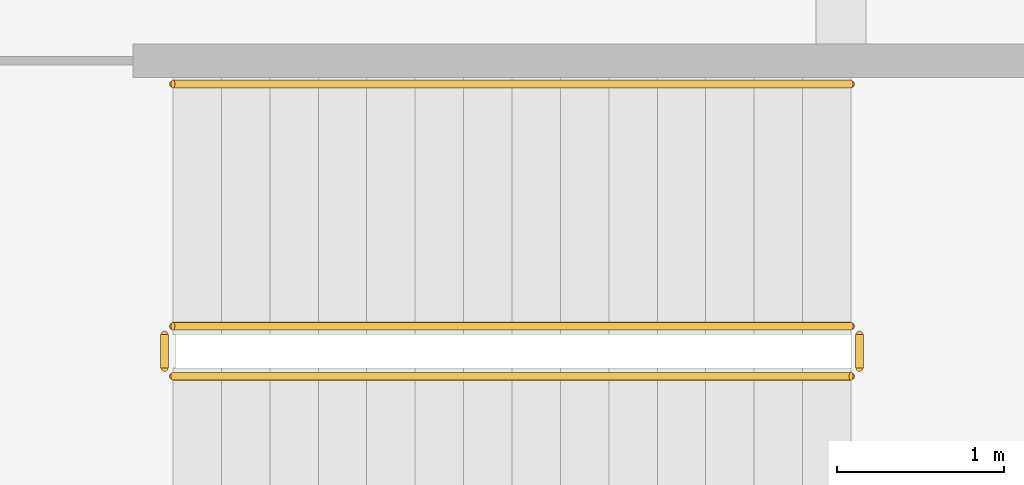
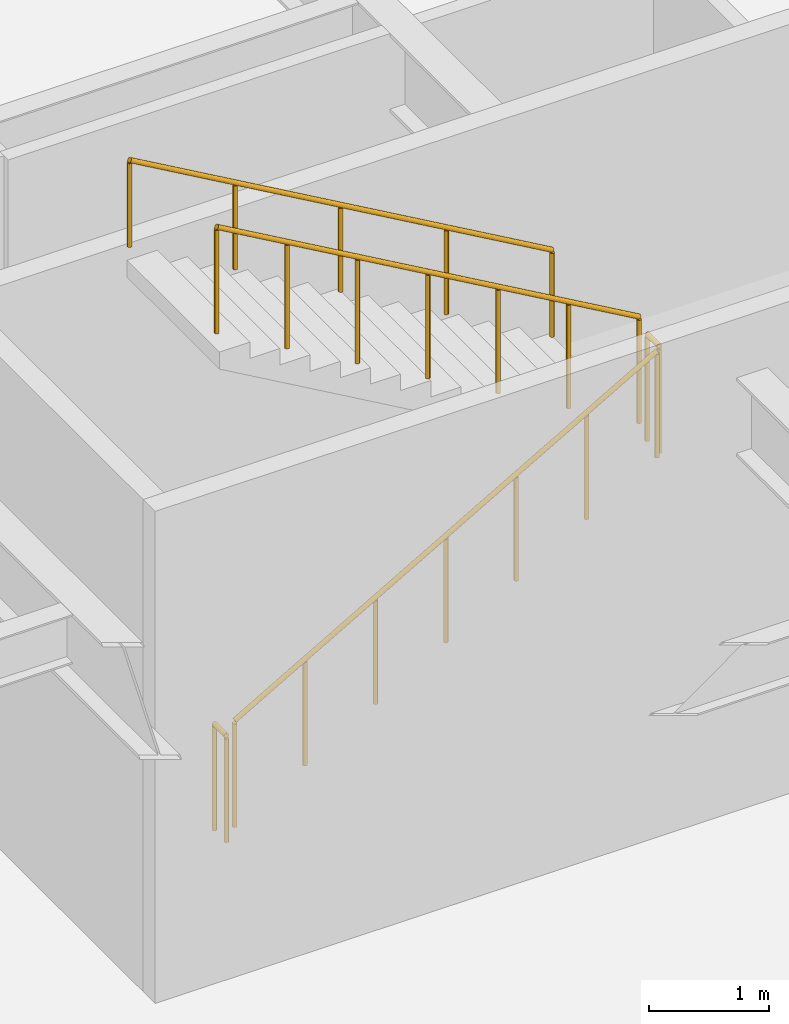
# One storey, part 23 of 23: 5 railings.
"""IFC4 building model written with IfcOpenShell, lengths in metres."""

from ifc_helpers import new_model, si_unit, direction, frame, origin, origin_2d, place, context, subcontext, project, spatial, circle, extrude, material, type_object, element, save


model = new_model("IFC4")

# Units and contexts
model_context = context("Model", 3, precision=1e-05, world=origin(), true_north=direction((0.0, 1.0)))
body_context = subcontext(model_context, "Body", "Model", "MODEL_VIEW")
ifc_project = project(units=[si_unit("LENGTHUNIT", "METRE"), si_unit("AREAUNIT", "SQUARE_METRE"), si_unit("VOLUMEUNIT", "CUBIC_METRE"), si_unit("PLANEANGLEUNIT", "RADIAN"), si_unit("MASSUNIT", "GRAM", prefix="KILO")], contexts=[model_context])

# Site, building, storey
site_placement = place(None, origin())
site = spatial("IfcSite", under=ifc_project, at=site_placement, CompositionType="ELEMENT")
building_placement = place(site_placement, origin())
building = spatial("IfcBuilding", under=site, at=building_placement, Name="Putna Gate Headquarters", CompositionType="ELEMENT")
storey_placement = place(building_placement, frame((0.0, 0.0, 17.0)))
storey = spatial("IfcBuildingStorey", under=building, at=storey_placement, Name="L03", CompositionType="ELEMENT", Elevation=17.0)

# Railings
ifc_material_1 = material(Name="Powder-coated steel stair guardrail", Category="steel")
railing_type_1 = type_object("IfcRailingType", Name="RAIL-STAIR-GUARD-1100", PredefinedType="GUARDRAIL", material=ifc_material_1)
railing_1_placement = place(storey_placement, frame((67.5, 8.300048828125, 0.166748046875)))
element("IfcRailing", 1, at=railing_1_placement, inside=storey, type_object=railing_type_1, Name="L03 ST3 stair guard 1", PredefinedType="GUARDRAIL", context=body_context, shape_type="SweptSolid", body=[
    extrude(circle(Radius=0.02392578125, at=origin_2d()), frame((0.0, 0.0, 1.076171875), z_axis=(0.867024558463, 0.0, 0.498265406207), x_axis=(0.0, 1.0, 0.0)), (0.0, 0.0, 1.0), 4.682861328125),
    extrude(circle(Radius=0.02099609375, at=origin_2d()), origin(), (0.0, 0.0, 1.0), 1.052001953125),
    extrude(circle(Radius=0.02099609375, at=origin_2d()), frame((0.6767578125, 0.0, 0.388916015625)), (0.0, 0.0, 1.0), 1.052001953125),
    extrude(circle(Radius=0.02099609375, at=origin_2d()), frame((1.353271484375, 0.0, 0.77783203125)), (0.0, 0.0, 1.0), 1.052001953125),
    extrude(circle(Radius=0.02099609375, at=origin_2d()), frame((2.030029296875, 0.0, 1.16650390625)), (0.0, 0.0, 1.0), 1.052001953125),
    extrude(circle(Radius=0.02099609375, at=origin_2d()), frame((2.706787109375, 0.0, 1.555419921875)), (0.0, 0.0, 1.0), 1.052001953125),
    extrude(circle(Radius=0.02099609375, at=origin_2d()), frame((3.38330078125, 0.0, 1.9443359375)), (0.0, 0.0, 1.0), 1.052001953125),
    extrude(circle(Radius=0.02099609375, at=origin_2d()), frame((4.06005859375, 0.0, 2.333251953125)), (0.0, 0.0, 1.0), 1.052001953125),
])
railing_2_placement = place(storey_placement, frame((71.610107421875, 8.35009765625, 2.5)))
element("IfcRailing", 2, at=railing_2_placement, inside=storey, type_object=railing_type_1, Name="L03 ST3 stair guard 2", PredefinedType="GUARDRAIL", context=body_context, shape_type="SweptSolid", body=[
    extrude(circle(Radius=0.02392578125, at=origin_2d()), frame((0.0, 0.0, 1.076171875), z_axis=(0.0, 1.0, 0.0), x_axis=(-1.0, 0.0, 0.0)), (0.0, 0.0, 1.0), 0.199951171875),
    extrude(circle(Radius=0.02099609375, at=origin_2d()), origin(), (0.0, 0.0, 1.0), 1.052001953125),
    extrude(circle(Radius=0.02099609375, at=origin_2d()), frame((0.0, 0.199951171875, 0.0)), (0.0, 0.0, 1.0), 1.052001953125),
])
railing_3_placement = place(storey_placement, frame((71.56005859375, 8.60009765625, 2.666748046875)))
element("IfcRailing", 3, at=railing_3_placement, inside=storey, type_object=railing_type_1, Name="L03 ST3 stair guard 3", PredefinedType="GUARDRAIL", context=body_context, shape_type="SweptSolid", body=[
    extrude(circle(Radius=0.02392578125, at=origin_2d()), frame((0.0, 0.0, 1.076171875), z_axis=(-0.867024558463, 0.0, 0.498265406207), x_axis=(0.0, -1.0, 0.0)), (0.0, 0.0, 1.0), 4.682861328125),
    extrude(circle(Radius=0.02099609375, at=origin_2d()), origin(), (0.0, 0.0, 1.0), 1.052001953125),
    extrude(circle(Radius=0.02099609375, at=origin_2d()), frame((-0.6767578125, 0.0, 0.388916015625)), (0.0, 0.0, 1.0), 1.052001953125),
    extrude(circle(Radius=0.02099609375, at=origin_2d()), frame((-1.353271484375, 0.0, 0.77783203125)), (0.0, 0.0, 1.0), 1.052001953125),
    extrude(circle(Radius=0.02099609375, at=origin_2d()), frame((-2.030029296875, 0.0, 1.16650390625)), (0.0, 0.0, 1.0), 1.052001953125),
    extrude(circle(Radius=0.02099609375, at=origin_2d()), frame((-2.706787109375, 0.0, 1.555419921875)), (0.0, 0.0, 1.0), 1.052001953125),
    extrude(circle(Radius=0.02099609375, at=origin_2d()), frame((-3.38330078125, 0.0, 1.9443359375)), (0.0, 0.0, 1.0), 1.052001953125),
    extrude(circle(Radius=0.02099609375, at=origin_2d()), frame((-4.06005859375, 0.0, 2.333251953125)), (0.0, 0.0, 1.0), 1.052001953125),
])
railing_4_placement = place(storey_placement, frame((67.449951171875, 8.35009765625, 0.0)))
element("IfcRailing", 4, at=railing_4_placement, inside=storey, type_object=railing_type_1, Name="L03 ST3 stair guard 4", PredefinedType="GUARDRAIL", context=body_context, shape_type="SweptSolid", body=[
    extrude(circle(Radius=0.02392578125, at=origin_2d()), frame((0.0, 0.0, 1.076171875), z_axis=(0.0, 1.0, 0.0), x_axis=(-1.0, 0.0, 0.0)), (0.0, 0.0, 1.0), 0.199951171875),
    extrude(circle(Radius=0.02099609375, at=origin_2d()), origin(), (0.0, 0.0, 1.0), 1.052001953125),
    extrude(circle(Radius=0.02099609375, at=origin_2d()), frame((0.0, 0.199951171875, 0.0)), (0.0, 0.0, 1.0), 1.052001953125),
])
ifc_material_2 = material(Name="Brushed stainless steel handrail", Category="steel")
railing_type_2 = type_object("IfcRailingType", Name="RAIL-STAIR-HAND-900", PredefinedType="HANDRAIL", material=ifc_material_2)
railing_5_placement = place(storey_placement, frame((71.56005859375, 10.050048828125, 2.666748046875)))
element("IfcRailing", 5, at=railing_5_placement, inside=storey, type_object=railing_type_2, Name="L03 ST3 stair handrail 2", PredefinedType="HANDRAIL", context=body_context, shape_type="SweptSolid", body=[
    extrude(circle(Radius=0.02392578125, at=origin_2d()), frame((0.0, 0.0, 0.8759765625), z_axis=(-0.867024558463, 0.0, 0.498265406207), x_axis=(0.0, -1.0, 0.0)), (0.0, 0.0, 1.0), 4.682861328125),
    extrude(circle(Radius=0.02099609375, at=origin_2d()), origin(), (0.0, 0.0, 1.0), 0.851806640625),
    extrude(circle(Radius=0.02099609375, at=origin_2d()), frame((-1.01513671875, 0.0, 0.583251953125)), (0.0, 0.0, 1.0), 0.851806640625),
    extrude(circle(Radius=0.02099609375, at=origin_2d()), frame((-2.030029296875, 0.0, 1.16650390625)), (0.0, 0.0, 1.0), 0.851806640625),
    extrude(circle(Radius=0.02099609375, at=origin_2d()), frame((-3.044921875, 0.0, 1.75)), (0.0, 0.0, 1.0), 0.851806640625),
    extrude(circle(Radius=0.02099609375, at=origin_2d()), frame((-4.06005859375, 0.0, 2.333251953125)), (0.0, 0.0, 1.0), 0.851806640625),
])

save(model, "model.ifc")
